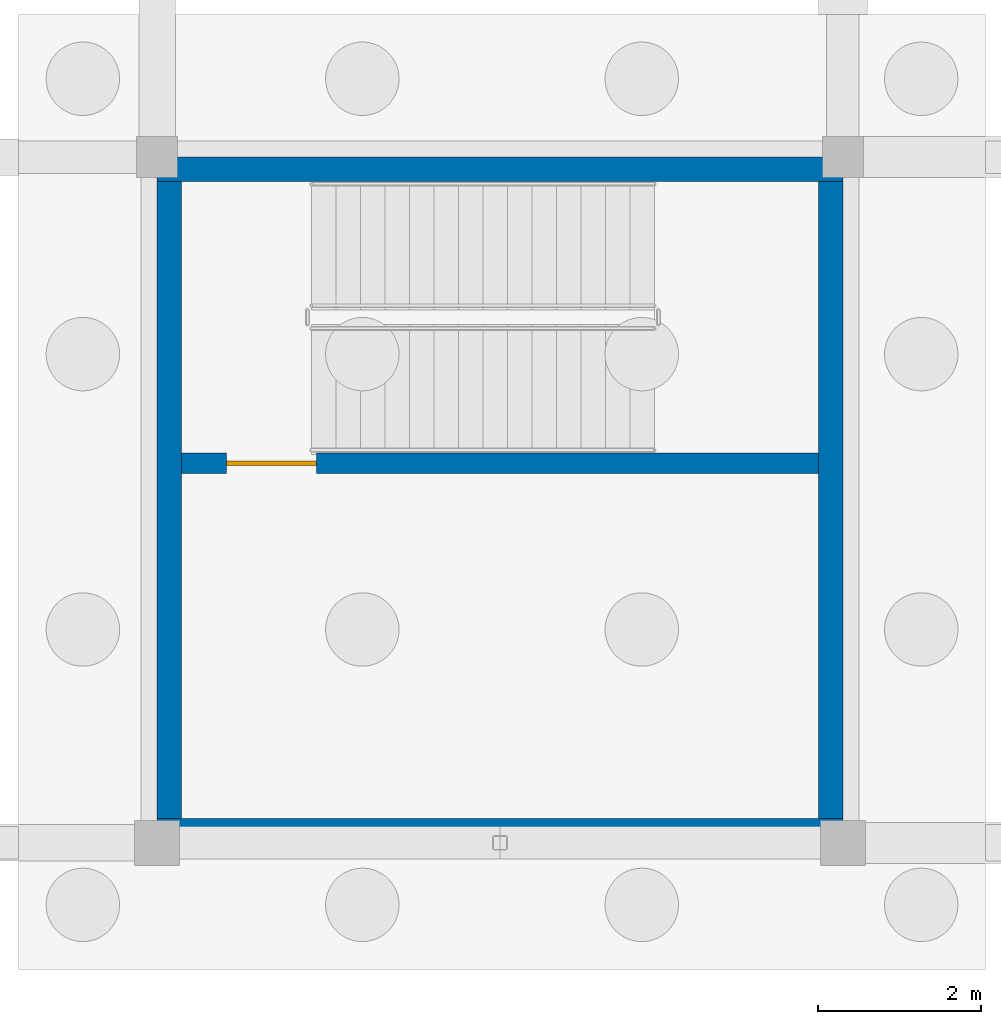
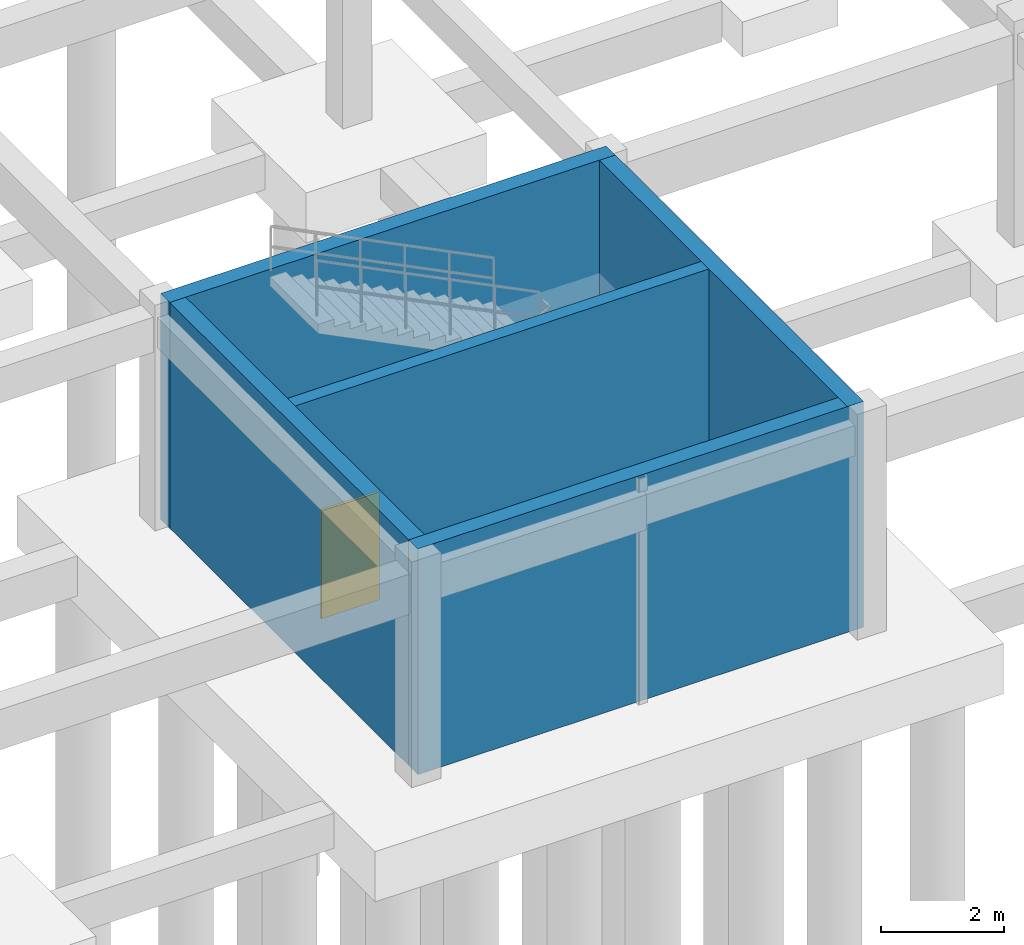
# One storey, part 33 of 43: 5 walls, 1 door, 1 opening.
"""IFC4 building model written with IfcOpenShell, lengths in metres."""

from ifc_helpers import new_model, si_unit, derived_unit, direction, frame, frame_2d, origin, place, context, subcontext, project, spatial, rectangle, extrude, material, layer, layer_set, type_object, element, fill, save


model = new_model("IFC4")

# Units and contexts
model_context = context("Model", 3, precision=1e-05, world=origin(), true_north=direction((0.0, 1.0)))
body_context = subcontext(model_context, "Body", "Model", "MODEL_VIEW")
ifc_project = project(units=[si_unit("LENGTHUNIT", "METRE"), si_unit("AREAUNIT", "SQUARE_METRE"), si_unit("VOLUMEUNIT", "CUBIC_METRE"), si_unit("PLANEANGLEUNIT", "RADIAN"), si_unit("MASSUNIT", "GRAM", prefix="KILO"), derived_unit("THERMALTRANSMITTANCEUNIT", [(si_unit("POWERUNIT", "WATT"), 1), (si_unit("AREAUNIT", "SQUARE_METRE"), -1), (si_unit("THERMODYNAMICTEMPERATUREUNIT", "KELVIN"), -1)])], contexts=[model_context])

# Site, building, storey
site_placement = place(None, origin())
site = spatial("IfcSite", under=ifc_project, at=site_placement, CompositionType="ELEMENT")
building_placement = place(site_placement, origin())
building = spatial("IfcBuilding", under=site, at=building_placement, Name="Yasenodar Specialist Clinic", CompositionType="ELEMENT")
storey_placement = place(building_placement, frame((0.0, 0.0, -4.5)))
storey = spatial("IfcBuildingStorey", under=building, at=storey_placement, Name="B1", CompositionType="ELEMENT", Elevation=-4.5)

# Wall, opening, door
ifc_material_1 = material(Name="Concrete C35/45", Category="concrete")
ifc_layer_1 = layer(ifc_material_1, 0.25)
ifc_layer_set_1 = layer_set([ifc_layer_1], Name="Concrete C35/45")
wall_type_1 = type_object("IfcWallType", Name="WL-CORE-250", PredefinedType="SHEAR", material=ifc_layer_set_1)
wall_placement = place(storey_placement, frame((130.5, 4.64990234375, 0.0), z_axis=(0.0, 0.0, 1.0), x_axis=(1.0, 0.0, 0.0)))
wall = element("IfcWall", 1, at=wall_placement, inside=storey, type_object=wall_type_1, Name="B1 Core C6 Central Spine Wall", PredefinedType="SHEAR", context=body_context, shape_type="SweptSolid", body=[
    extrude(rectangle(XDim=7.800048828125, YDim=0.25, at=frame_2d((3.89990234375, 0.0))), origin(), (0.0, 0.0, 1.0), 4.5),
])
opening_placement = place(wall_placement, frame((0.550048828125, 0.0, 0.0)))
opening = element("IfcOpeningElement", 2, at=opening_placement, cuts=wall, Name="Opening FD-01", PredefinedType="OPENING", context=body_context, shape_type="SweptSolid", body=[
    extrude(rectangle(XDim=1.10009765625, YDim=2.14990234375, at=frame_2d((0.550048828125, 1.074951171875))), frame((0.0, 0.135009765625, 0.0), z_axis=(0.0, -1.0, 0.0), x_axis=(1.0, 0.0, 0.0)), (0.0, 0.0, 1.0), 0.27001953125),
])
ifc_material_2 = material(Name="Fire-Rated Insulated Steel Door", Category="steel")
door_type = type_object("IfcDoorType", Name="DR-FD-110", OperationType="NOTDEFINED", PredefinedType="DOOR", material=ifc_material_2)
door_placement = place(opening_placement, origin())
door = element("IfcDoor", 3, at=door_placement, inside=storey, type_object=door_type, Name="B1 ST-06 Protected Stair Door", OperationType="SINGLE_SWING_RIGHT", OverallHeight=2.14990234375, OverallWidth=1.10009765625, PredefinedType="DOOR", context=body_context, shape_type="SweptSolid", body=[
    extrude(rectangle(XDim=1.10009765625, YDim=2.14990234375, at=frame_2d((0.550048828125, 1.074951171875))), frame((0.0, 0.02490234375, 0.0), z_axis=(0.0, -1.0, 0.0), x_axis=(1.0, 0.0, 0.0)), (0.0, 0.0, 1.0), 0.050048828125),
])
fill(opening, door)

# Walls
ifc_layer_2 = layer(ifc_material_1, 0.300048828125)
ifc_layer_set_2 = layer_set([ifc_layer_2], Name="Concrete C35/45")
wall_type_2 = type_object("IfcWallType", Name="WL-CORE-300", PredefinedType="SHEAR", material=ifc_layer_set_2)
for number, where, z_axis, x_axis, name in (
    (4, (130.199951171875, 8.25, 0.0), (0.0, 0.0, 1.0), (1.0, 0.0, 0.0), "B1 Core C6 North Shear Wall"),
    (5, (138.60009765625, 0.14990234375, 0.0), (0.0, 0.0, 1.0), (-1.0, 0.0, 0.0), "B1 Core C6 South Shear Wall"),
):
    element("IfcWall", number, at=place(storey_placement, frame(where, z_axis=z_axis, x_axis=x_axis)), inside=storey, type_object=wall_type_2, Name=name, PredefinedType="SHEAR", context=body_context, shape_type="SweptSolid", body=[
        extrude(rectangle(XDim=8.400146484375, YDim=0.300048828125, at=frame_2d((4.2001953125, 0.0))), origin(), (0.0, 0.0, 1.0), 4.5),
    ])
for number, where, z_axis, x_axis, name in (
    (6, (130.35009765625, 0.0, 0.0), (0.0, 0.0, 1.0), (0.0, 1.0, 0.0), "B1 Core C6 West Shear Wall"),
    (7, (138.449951171875, 0.0, 0.0), (0.0, 0.0, 1.0), (0.0, 1.0, 0.0), "B1 Core C6 East Shear Wall"),
):
    element("IfcWall", number, at=place(storey_placement, frame(where, z_axis=z_axis, x_axis=x_axis)), inside=storey, type_object=wall_type_2, Name=name, PredefinedType="SHEAR", context=body_context, shape_type="SweptSolid", body=[
        extrude(rectangle(XDim=8.39990234375, YDim=0.300048828125, at=frame_2d((4.199951171875, 0.0))), origin(), (0.0, 0.0, 1.0), 4.5),
    ])

save(model, "model.ifc")
